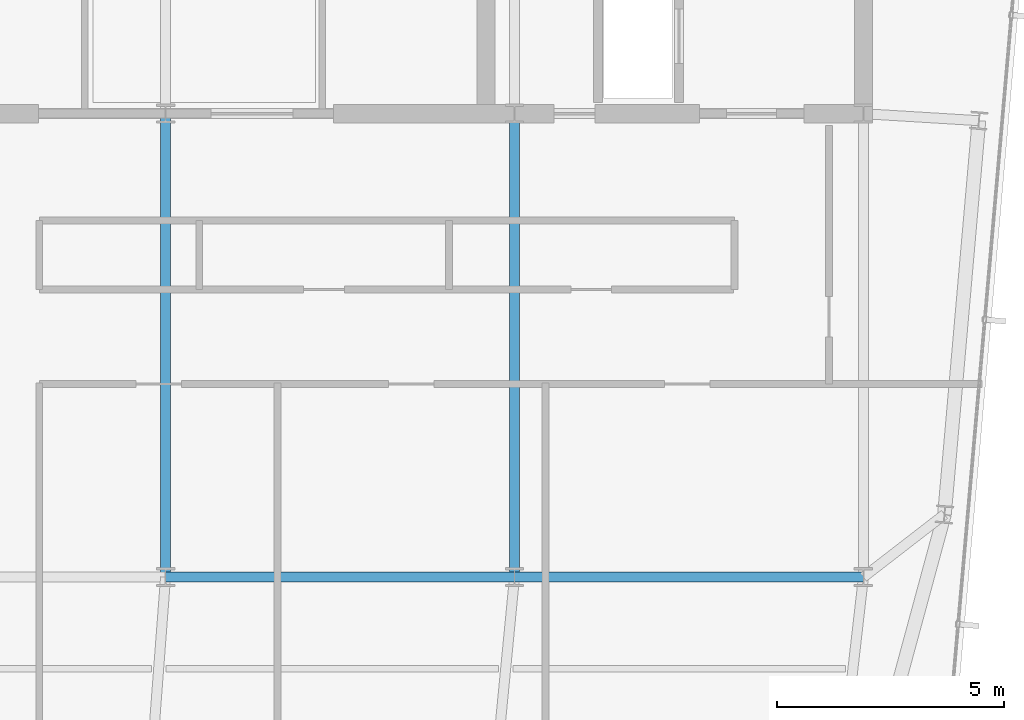
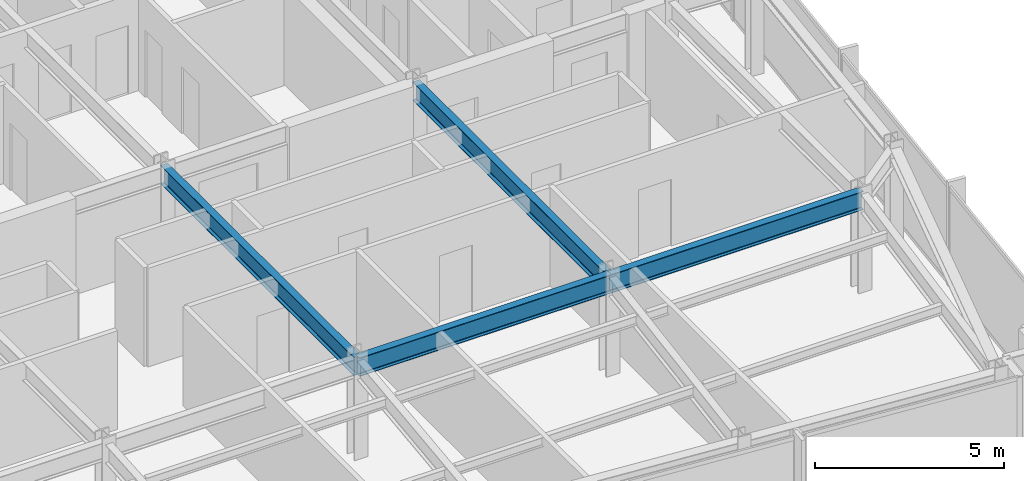
# One storey, part 15 of 32: 4 beams.
"""IFC4 building model written with IfcOpenShell, lengths in metres."""

from ifc_helpers import new_model, si_unit, direction, frame, origin, origin_2d, place, context, subcontext, project, spatial, i_section, extrude, material, material_profile, profile_set, type_object, element, save


model = new_model("IFC4")

# Units and contexts
model_context = context("Model", 3, precision=1e-05, world=origin(), true_north=direction((0.0, 1.0)))
body_context = subcontext(model_context, "Body", "Model", "MODEL_VIEW")
ifc_project = project(units=[si_unit("LENGTHUNIT", "METRE"), si_unit("AREAUNIT", "SQUARE_METRE"), si_unit("VOLUMEUNIT", "CUBIC_METRE"), si_unit("PLANEANGLEUNIT", "RADIAN"), si_unit("MASSUNIT", "GRAM", prefix="KILO")], contexts=[model_context])

# Site, building, storey
site_placement = place(None, origin())
site = spatial("IfcSite", under=ifc_project, at=site_placement, CompositionType="ELEMENT")
building_placement = place(site_placement, origin())
building = spatial("IfcBuilding", under=site, at=building_placement, Name="Yelkora Congress Tower", CompositionType="ELEMENT")
storey_placement = place(building_placement, frame((0.0, 0.0, 293.10009765625)))
storey = spatial("IfcBuildingStorey", under=building, at=storey_placement, Name="L82", CompositionType="ELEMENT", Elevation=293.10009765625)

# Beams
ifc_material = material(Name="Steel S355J2", Category="steel")
ifc_material_profile = material_profile(ifc_material, i_section(OverallWidth=0.219970703125, OverallDepth=0.60009765625, WebThickness=0.011962890625, FlangeThickness=0.01904296875, FilletRadius=0.02392578125, at=origin_2d()), Name="IPE 600")
ifc_profile_set = profile_set([ifc_material_profile], Name="Steel S355J2")
beam_type = type_object("IfcBeamType", Name="BM-GIRD-IPE600", PredefinedType="BEAM", material=ifc_profile_set)
beam_1_placement = place(storey_placement, frame((38.39990234375, 25.199951171875, 2.8798828125), z_axis=(1.0, 0.0, 0.0), x_axis=(0.0, 1.0, 0.0)))
element("IfcBeam", 1, at=beam_1_placement, inside=storey, type_object=beam_type, Name="L82 Spine Grid D Girder 3", PredefinedType="BEAM", context=body_context, shape_type="SweptSolid", body=[
    extrude(i_section(OverallWidth=0.219970703125, OverallDepth=0.60009765625, WebThickness=0.011962890625, FlangeThickness=0.01904296875, FilletRadius=0.02392578125, at=origin_2d()), origin(), (0.0, 0.0, 1.0), 7.68017578125),
])
beam_2_placement = place(storey_placement, frame((46.080078125, 25.199951171875, 2.8798828125), z_axis=(1.0, 0.0, 0.0), x_axis=(0.0, 1.0, 0.0)))
element("IfcBeam", 2, at=beam_2_placement, inside=storey, type_object=beam_type, Name="L82 Spine Grid D Girder 4", PredefinedType="BEAM", context=body_context, shape_type="SweptSolid", body=[
    extrude(i_section(OverallWidth=0.219970703125, OverallDepth=0.60009765625, WebThickness=0.011962890625, FlangeThickness=0.01904296875, FilletRadius=0.02392578125, at=origin_2d()), origin(), (0.0, 0.0, 1.0), 7.679931640625),
])
for number, where, z_axis, x_axis, name in (
    (3, (38.39990234375, 25.199951171875, 2.8798828125), (0.0, 1.0, 0.0), (-1.0, 0.0, 0.0), "L82 Core Tie Girder MC-D3"),
    (4, (46.080078125, 25.199951171875, 2.8798828125), (0.0, 1.0, 0.0), (-1.0, 0.0, 0.0), "L82 Core Tie Girder MC-D4"),
):
    element("IfcBeam", number, at=place(storey_placement, frame(where, z_axis=z_axis, x_axis=x_axis)), inside=storey, type_object=beam_type, Name=name, PredefinedType="BEAM", context=body_context, shape_type="SweptSolid", body=[
        extrude(i_section(OverallWidth=0.219970703125, OverallDepth=0.60009765625, WebThickness=0.011962890625, FlangeThickness=0.01904296875, FilletRadius=0.02392578125, at=origin_2d()), origin(), (0.0, 0.0, 1.0), 10.199951171875),
    ])

save(model, "model.ifc")
